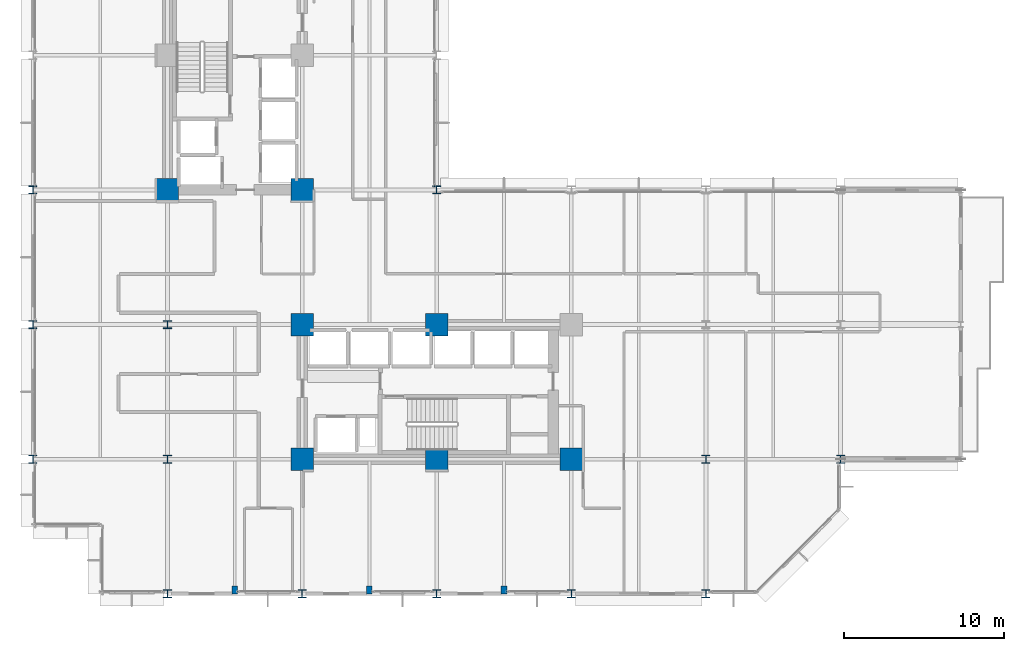
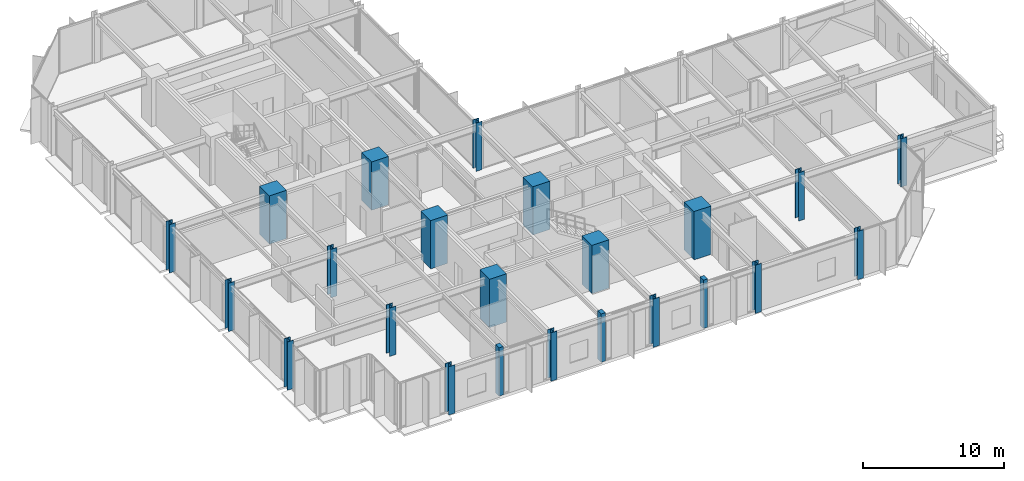
# One storey, part 1 of 30: 23 columns.
"""IFC4 building model written with IfcOpenShell, lengths in metres."""

from ifc_helpers import new_model, si_unit, direction, frame, origin, origin_2d, place, context, subcontext, project, spatial, rectangle, i_section, extrude, material, material_profile, profile_set, type_object, element, save


model = new_model("IFC4")

# Units and contexts
model_context = context("Model", 3, precision=1e-05, world=origin(), true_north=direction((0.0, 1.0)))
body_context = subcontext(model_context, "Body", "Model", "MODEL_VIEW")
ifc_project = project(units=[si_unit("LENGTHUNIT", "METRE"), si_unit("AREAUNIT", "SQUARE_METRE"), si_unit("VOLUMEUNIT", "CUBIC_METRE"), si_unit("PLANEANGLEUNIT", "RADIAN"), si_unit("MASSUNIT", "GRAM", prefix="KILO")], contexts=[model_context])

# Site, building, storey
site_placement = place(None, origin())
site = spatial("IfcSite", under=ifc_project, at=site_placement, CompositionType="ELEMENT")
building_placement = place(site_placement, origin())
building = spatial("IfcBuilding", under=site, at=building_placement, Name="Nerrivon Quay Data Exchange", CompositionType="ELEMENT")
storey_placement = place(building_placement, frame((0.0, 0.0, 62.60009765625)))
storey = spatial("IfcBuildingStorey", under=building, at=storey_placement, Name="L14", CompositionType="ELEMENT", Elevation=62.60009765625)

# Columns
ifc_material_1 = material(Name="Concrete N80 (80 MPa)", Category="concrete")
ifc_material_profile_1 = material_profile(ifc_material_1, rectangle(XDim=1.39990234375, YDim=1.39990234375, at=origin_2d()), Name="RC-COL-1400x1400")
ifc_profile_set_1 = profile_set([ifc_material_profile_1], Name="Concrete N80 (80 MPa)")
column_type_1 = type_object("IfcColumnType", Name="COL-C2-1400", PredefinedType="COLUMN", material=ifc_profile_set_1)
for number, where, z_axis, x_axis, name in (
    (1, (8.39990234375, 25.199951171875, 0.0), (0.0, 0.0, 1.0), (1.0, 0.0, 0.0), "L14 Column (8.4,25.2)"),
    (2, (16.800048828125, 8.39990234375, 0.0), (0.0, 0.0, 1.0), (1.0, 0.0, 0.0), "L14 Column (16.8,8.4)"),
    (3, (16.800048828125, 16.800048828125, 0.0), (0.0, 0.0, 1.0), (1.0, 0.0, 0.0), "L14 Column (16.8,16.8)"),
    (4, (16.800048828125, 25.199951171875, 0.0), (0.0, 0.0, 1.0), (1.0, 0.0, 0.0), "L14 Column (16.8,25.2)"),
    (5, (25.199951171875, 8.39990234375, 0.0), (0.0, 0.0, 1.0), (1.0, 0.0, 0.0), "L14 Column (25.2,8.4)"),
    (6, (25.199951171875, 16.800048828125, 0.0), (0.0, 0.0, 1.0), (1.0, 0.0, 0.0), "L14 Column (25.2,16.8)"),
    (7, (33.60009765625, 8.39990234375, 0.0), (0.0, 0.0, 1.0), (1.0, 0.0, 0.0), "L14 Column (33.6,8.4)"),
):
    element("IfcColumn", number, at=place(storey_placement, frame(where, z_axis=z_axis, x_axis=x_axis)), inside=storey, type_object=column_type_1, Name=name, PredefinedType="COLUMN", context=body_context, shape_type="SweptSolid", body=[
        extrude(rectangle(XDim=1.39990234375, YDim=1.39990234375, at=origin_2d()), origin(), (0.0, 0.0, 1.0), 4.199951171875),
    ])
ifc_material_2 = material(Name="Steel Grade 350", Category="steel")
ifc_material_profile_2 = material_profile(ifc_material_2, i_section(OverallWidth=0.5, OverallDepth=0.5, WebThickness=0.028076171875, FlangeThickness=0.0400390625, at=origin_2d()), Name="500WC440")
ifc_profile_set_2 = profile_set([ifc_material_profile_2], Name="Steel Grade 350")
column_type_2 = type_object("IfcColumnType", Name="COL-SC1-500WC", PredefinedType="COLUMN", material=ifc_profile_set_2)
for number, where, z_axis, x_axis, name in (
    (8, (0.0, 8.39990234375, 0.0), (0.0, 0.0, 1.0), (1.0, 0.0, 0.0), "L14 Column (0.0,8.4)"),
    (9, (0.0, 16.800048828125, 0.0), (0.0, 0.0, 1.0), (1.0, 0.0, 0.0), "L14 Column (0.0,16.8)"),
    (10, (0.0, 25.199951171875, 0.0), (0.0, 0.0, 1.0), (1.0, 0.0, 0.0), "L14 Column (0.0,25.2)"),
    (11, (8.39990234375, 0.0, 0.0), (0.0, 0.0, 1.0), (1.0, 0.0, 0.0), "L14 Column (8.4,0.0)"),
    (12, (8.39990234375, 8.39990234375, 0.0), (0.0, 0.0, 1.0), (1.0, 0.0, 0.0), "L14 Column (8.4,8.4)"),
    (13, (8.39990234375, 16.800048828125, 0.0), (0.0, 0.0, 1.0), (1.0, 0.0, 0.0), "L14 Column (8.4,16.8)"),
    (14, (16.800048828125, 0.0, 0.0), (0.0, 0.0, 1.0), (1.0, 0.0, 0.0), "L14 Column (16.8,0.0)"),
    (15, (25.199951171875, 0.0, 0.0), (0.0, 0.0, 1.0), (1.0, 0.0, 0.0), "L14 Column (25.2,0.0)"),
    (16, (25.199951171875, 25.199951171875, 0.0), (0.0, 0.0, 1.0), (1.0, 0.0, 0.0), "L14 Column (25.2,25.2)"),
    (17, (33.60009765625, 0.0, 0.0), (0.0, 0.0, 1.0), (1.0, 0.0, 0.0), "L14 Column (33.6,0.0)"),
    (18, (42.0, 0.0, 0.0), (0.0, 0.0, 1.0), (1.0, 0.0, 0.0), "L14 Column (42.0,0.0)"),
    (19, (42.0, 8.39990234375, 0.0), (0.0, 0.0, 1.0), (1.0, 0.0, 0.0), "L14 Column (42.0,8.4)"),
    (20, (50.39990234375, 8.39990234375, 0.0), (0.0, 0.0, 1.0), (1.0, 0.0, 0.0), "L14 Column (50.4,8.4)"),
):
    element("IfcColumn", number, at=place(storey_placement, frame(where, z_axis=z_axis, x_axis=x_axis)), inside=storey, type_object=column_type_2, Name=name, PredefinedType="COLUMN", context=body_context, shape_type="SweptSolid", body=[
        extrude(i_section(OverallWidth=0.5, OverallDepth=0.5, WebThickness=0.028076171875, FlangeThickness=0.0400390625, at=origin_2d()), origin(), (0.0, 0.0, 1.0), 4.199951171875),
    ])
ifc_material_3 = material(Name="Concrete N50 (50 MPa)", Category="concrete")
ifc_material_profile_3 = material_profile(ifc_material_3, rectangle(XDim=0.35009765625, YDim=0.5, at=origin_2d()), Name="RC-PIL-500x350")
ifc_profile_set_3 = profile_set([ifc_material_profile_3], Name="Concrete N50 (50 MPa)")
column_type_3 = type_object("IfcColumnType", Name="PIL-P2-500x350", PredefinedType="PILASTER", material=ifc_profile_set_3)
for number, where, z_axis, x_axis, name in (
    (21, (12.60009765625, 0.25, 0.0), (0.0, 0.0, 1.0), (1.0, 0.0, 0.0), "L14 Facade Pilaster (12.6)"),
    (22, (21.0, 0.25, 0.0), (0.0, 0.0, 1.0), (1.0, 0.0, 0.0), "L14 Facade Pilaster (21.0)"),
    (23, (29.39990234375, 0.25, 0.0), (0.0, 0.0, 1.0), (1.0, 0.0, 0.0), "L14 Facade Pilaster (29.4)"),
):
    element("IfcColumn", number, at=place(storey_placement, frame(where, z_axis=z_axis, x_axis=x_axis)), inside=storey, type_object=column_type_3, Name=name, PredefinedType="PILASTER", context=body_context, shape_type="SweptSolid", body=[
        extrude(rectangle(XDim=0.35009765625, YDim=0.5, at=origin_2d()), origin(), (0.0, 0.0, 1.0), 4.199951171875),
    ])

save(model, "model.ifc")
